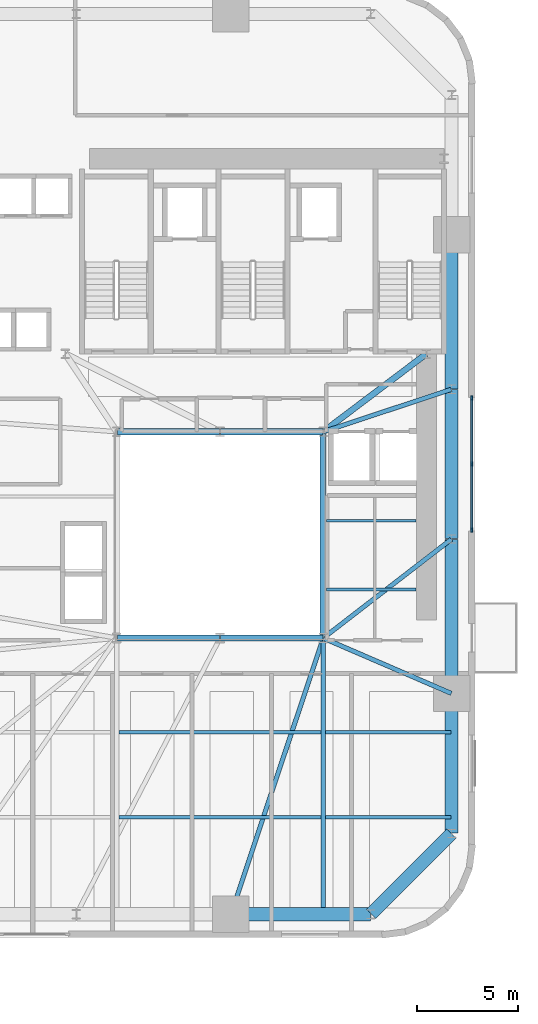
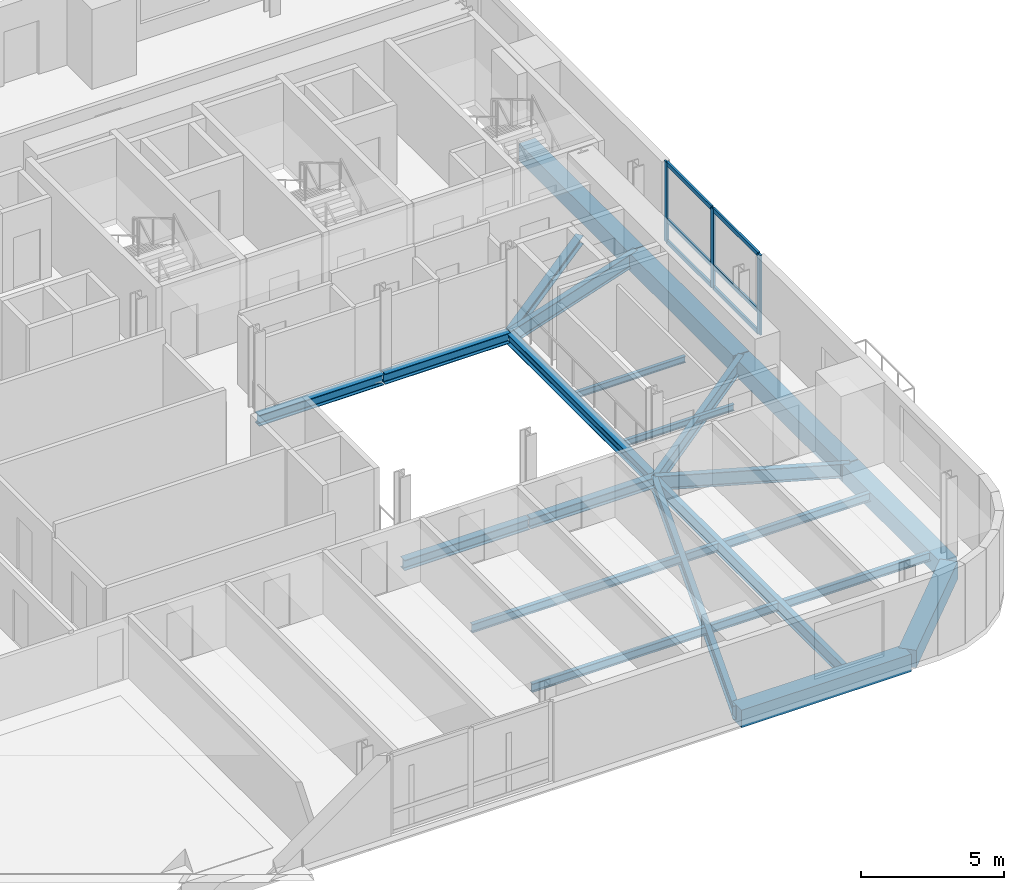
# One storey, part 3 of 13: 23 beams, 9 members, 1 element without a shape of its own.
"""IFC4 building model written with IfcOpenShell, lengths in metres."""

from ifc_helpers import new_model, si_unit, direction, frame, origin, origin_2d, place, context, subcontext, project, spatial, rectangle, i_section, extrude, source, transform, mapped, material, material_profile, profile_set, type_object, element, aggregate, save


model = new_model("IFC4")

# Units and contexts
model_context = context("Model", 3, precision=1e-05, world=origin(), true_north=direction((0.0, 1.0)))
body_context = subcontext(model_context, "Body", "Model", "MODEL_VIEW")
ifc_project = project(units=[si_unit("LENGTHUNIT", "METRE"), si_unit("AREAUNIT", "SQUARE_METRE"), si_unit("VOLUMEUNIT", "CUBIC_METRE"), si_unit("PLANEANGLEUNIT", "RADIAN"), si_unit("MASSUNIT", "GRAM", prefix="KILO")], contexts=[model_context])

# Site, building, storey
site_placement = place(None, origin())
site = spatial("IfcSite", under=ifc_project, at=site_placement, CompositionType="ELEMENT")
building_placement = place(site_placement, origin())
building = spatial("IfcBuilding", under=site, at=building_placement, Name="Vardaveli Station Tower", CompositionType="ELEMENT")
storey_placement = place(building_placement, frame((0.0, 0.0, 56.800048828125)))
storey = spatial("IfcBuildingStorey", under=building, at=storey_placement, Name="L14", CompositionType="ELEMENT", Elevation=56.800048828125)

# Beams
ifc_material_1 = material(Name="Structural steel S355J2", Category="steel")
ifc_material_profile_1 = material_profile(ifc_material_1, i_section(OverallWidth=0.300048828125, OverallDepth=0.449951171875, WebThickness=0.013916015625, FlangeThickness=0.02587890625, FilletRadius=0.027099609375, at=origin_2d()), Name="HEB 450")
ifc_profile_set_1 = profile_set([ifc_material_profile_1], Name="Structural steel S355J2")
beam_type_1 = type_object("IfcBeamType", Name="BM-HEB450", PredefinedType="BEAM", material=ifc_profile_set_1)
shared_shape_1 = source(origin(), body_context, "Body", "SweptSolid", [
    extrude(i_section(OverallWidth=0.300048828125, OverallDepth=0.449951171875, WebThickness=0.013916015625, FlangeThickness=0.02587890625, FilletRadius=0.027099609375, at=origin_2d()), origin(), (0.0, 0.0, 1.0), 5.06005859375),
])
for number, where, z_axis, x_axis, name in (
    (1, (31.219970703125, 16.60009765625, -0.465087890625), (1.0, 0.0, 0.0), (0.0, 1.0, 0.0), "ABM-L14-01"),
    (2, (36.280029296875, 26.800048828125, -0.465087890625), (-1.0, 0.0, 0.0), (0.0, -1.0, 0.0), "ABM-L14-05"),
):
    element("IfcBeam", number, at=place(storey_placement, frame(where, z_axis=z_axis, x_axis=x_axis)), inside=storey, type_object=beam_type_1, Name=name, PredefinedType="BEAM", context=body_context, shape_type="MappedRepresentation", body=[
        mapped(shared_shape_1, transform((0.0, 0.0, 0.0), scale=1.0)),
    ])
shared_shape_2 = source(origin(), body_context, "Body", "SweptSolid", [
    extrude(i_section(OverallWidth=0.300048828125, OverallDepth=0.449951171875, WebThickness=0.013916015625, FlangeThickness=0.02587890625, FilletRadius=0.027099609375, at=origin_2d()), origin(), (0.0, 0.0, 1.0), 5.059814453125),
])
for number, where, z_axis, x_axis, name in (
    (3, (36.320068359375, 16.60009765625, -0.465087890625), (1.0, 0.0, 0.0), (0.0, 1.0, 0.0), "ABM-L14-02"),
    (4, (41.3798828125, 26.800048828125, -0.465087890625), (-1.0, 0.0, 0.0), (0.0, -1.0, 0.0), "ABM-L14-04"),
):
    element("IfcBeam", number, at=place(storey_placement, frame(where, z_axis=z_axis, x_axis=x_axis)), inside=storey, type_object=beam_type_1, Name=name, PredefinedType="BEAM", context=body_context, shape_type="MappedRepresentation", body=[
        mapped(shared_shape_2, transform((0.0, 0.0, 0.0), scale=1.0)),
    ])
shared_shape_3 = source(origin(), body_context, "Body", "SweptSolid", [
    extrude(i_section(OverallWidth=0.300048828125, OverallDepth=0.449951171875, WebThickness=0.013916015625, FlangeThickness=0.02587890625, FilletRadius=0.027099609375, at=origin_2d()), origin(), (0.0, 0.0, 1.0), 10.159912109375),
])
beam_1_placement = place(storey_placement, frame((41.39990234375, 16.6201171875, -0.465087890625), z_axis=(0.0, 1.0, 0.0), x_axis=(-1.0, 0.0, 0.0)))
element("IfcBeam", 5, at=beam_1_placement, inside=storey, type_object=beam_type_1, Name="ABM-L14-03", PredefinedType="BEAM", context=body_context, shape_type="MappedRepresentation", body=[
    mapped(shared_shape_3, transform((0.0, 0.0, 0.0), scale=1.0)),
])
ifc_material_profile_2 = material_profile(ifc_material_1, i_section(OverallWidth=0.300048828125, OverallDepth=0.360107421875, WebThickness=0.012451171875, FlangeThickness=0.0224609375, FilletRadius=0.027099609375, at=origin_2d()), Name="HEB 360")
ifc_profile_set_2 = profile_set([ifc_material_profile_2], Name="Structural steel S355J2")
beam_type_2 = type_object("IfcBeamType", Name="BM-HEB360", PredefinedType="BEAM", material=ifc_profile_set_2)
shared_shape_4 = source(origin(), body_context, "Body", "SweptSolid", [
    extrude(i_section(OverallWidth=0.300048828125, OverallDepth=0.360107421875, WebThickness=0.012451171875, FlangeThickness=0.0224609375, FilletRadius=0.027099609375, at=origin_2d()), origin(), (0.0, 0.0, 1.0), 6.35009765625),
])
beam_2_placement = place(storey_placement, frame((41.416015625, 26.81201171875, -0.420166015625), z_axis=(0.798118337722, 0.602500721154, 0.0), x_axis=(-0.602500721154, 0.798118337722, 0.0)))
element("IfcBeam", 6, at=beam_2_placement, inside=storey, type_object=beam_type_2, Name="CBM-L14-02", PredefinedType="BEAM", context=body_context, shape_type="MappedRepresentation", body=[
    mapped(shared_shape_4, transform((0.0, 0.0, 0.0), scale=1.0)),
])
ifc_material_2 = material(Name="Precast concrete C45/55", Category="concrete")
ifc_material_profile_3 = material_profile(ifc_material_2, rectangle(XDim=0.64990234375, YDim=0.75, at=origin_2d()), Name="LPB 650x750")
ifc_profile_set_3 = profile_set([ifc_material_profile_3], Name="Precast concrete C45/55")
beam_type_3 = type_object("IfcBeamType", Name="BM-LPB-750", PredefinedType="BEAM", material=ifc_profile_set_3)
shared_shape_5 = source(origin(), body_context, "Body", "SweptSolid", [
    extrude(rectangle(XDim=0.64990234375, YDim=0.75, at=origin_2d()), origin(), (0.0, 0.0, 1.0), 7.60009765625),
])
for number, where, z_axis, x_axis, name in (
    (7, (47.75, 13.8798828125, -0.614990234375), (0.0, 1.0, 0.0), (-1.0, 0.0, 0.0), "RBM-L14-07"),
    (8, (47.75, 28.919921875, -0.614990234375), (0.0, 1.0, 0.0), (-1.0, 0.0, 0.0), "RBM-L14-09"),
):
    element("IfcBeam", number, at=place(storey_placement, frame(where, z_axis=z_axis, x_axis=x_axis)), inside=storey, type_object=beam_type_3, Name=name, PredefinedType="BEAM", context=body_context, shape_type="MappedRepresentation", body=[
        mapped(shared_shape_5, transform((0.0, 0.0, 0.0), scale=1.0)),
    ])
shared_shape_6 = source(origin(), body_context, "Body", "SweptSolid", [
    extrude(rectangle(XDim=0.64990234375, YDim=0.75, at=origin_2d()), origin(), (0.0, 0.0, 1.0), 7.35986328125),
])
beam_3_placement = place(storey_placement, frame((47.75, 21.52001953125, -0.614990234375), z_axis=(0.0, 1.0, 0.0), x_axis=(-1.0, 0.0, 0.0)))
element("IfcBeam", 9, at=beam_3_placement, inside=storey, type_object=beam_type_3, Name="RBM-L14-08", PredefinedType="BEAM", context=body_context, shape_type="MappedRepresentation", body=[
    mapped(shared_shape_6, transform((0.0, 0.0, 0.0), scale=1.0)),
])
shared_shape_7 = source(origin(), body_context, "Body", "SweptSolid", [
    extrude(rectangle(XDim=0.64990234375, YDim=0.75, at=origin_2d()), origin(), (0.0, 0.0, 1.0), 6.869873046875),
])
beam_4_placement = place(storey_placement, frame((36.860107421875, 2.949951171875, -0.614990234375), z_axis=(1.0, 0.0, 0.0), x_axis=(0.0, 1.0, 0.0)))
element("IfcBeam", 10, at=beam_4_placement, inside=storey, type_object=beam_type_3, Name="RBM-L14-04", PredefinedType="BEAM", context=body_context, shape_type="MappedRepresentation", body=[
    mapped(shared_shape_7, transform((0.0, 0.0, 0.0), scale=1.0)),
])
shared_shape_8 = source(origin(), body_context, "Body", "SweptSolid", [
    extrude(rectangle(XDim=0.64990234375, YDim=0.75, at=origin_2d()), origin(), (0.0, 0.0, 1.0), 5.61669921875),
])
beam_5_placement = place(storey_placement, frame((43.76416015625, 2.964111328125, -0.614990234375), z_axis=(0.707106781187, 0.707106781187, 0.0), x_axis=(-0.707106781187, 0.707106781187, 0.0)))
element("IfcBeam", 11, at=beam_5_placement, inside=storey, type_object=beam_type_3, Name="RBM-L14-05", PredefinedType="BEAM", context=body_context, shape_type="MappedRepresentation", body=[
    mapped(shared_shape_8, transform((0.0, 0.0, 0.0), scale=1.0)),
])
shared_shape_9 = source(origin(), body_context, "Body", "SweptSolid", [
    extrude(rectangle(XDim=0.64990234375, YDim=0.75, at=origin_2d()), origin(), (0.0, 0.0, 1.0), 6.8701171875),
])
beam_6_placement = place(storey_placement, frame((47.75, 6.969970703125, -0.614990234375), z_axis=(0.0, 1.0, 0.0), x_axis=(-1.0, 0.0, 0.0)))
element("IfcBeam", 12, at=beam_6_placement, inside=storey, type_object=beam_type_3, Name="RBM-L14-06", PredefinedType="BEAM", context=body_context, shape_type="MappedRepresentation", body=[
    mapped(shared_shape_9, transform((0.0, 0.0, 0.0), scale=1.0)),
])
ifc_material_profile_4 = material_profile(ifc_material_1, i_section(OverallWidth=0.219970703125, OverallDepth=0.60009765625, WebThickness=0.011962890625, FlangeThickness=0.01904296875, FilletRadius=0.02392578125, at=origin_2d()), Name="IPE 600")
ifc_profile_set_4 = profile_set([ifc_material_profile_4], Name="Structural steel S355J2")
beam_type_4 = type_object("IfcBeamType", Name="BM-IPE600", PredefinedType="BEAM", material=ifc_profile_set_4)
shared_shape_10 = source(origin(), body_context, "Body", "SweptSolid", [
    extrude(i_section(OverallWidth=0.219970703125, OverallDepth=0.60009765625, WebThickness=0.011962890625, FlangeThickness=0.01904296875, FilletRadius=0.02392578125, at=origin_2d()), origin(), (0.0, 0.0, 1.0), 14.3515625),
])
beam_7_placement = place(storey_placement, frame((36.846435546875, 2.968994140625, -0.5400390625), z_axis=(0.316840115921, 0.948478961782, 0.0), x_axis=(-0.948478961782, 0.316840115921, 0.0)))
element("IfcBeam", 13, at=beam_7_placement, inside=storey, type_object=beam_type_4, Name="GBM-L14-04", PredefinedType="BEAM", context=body_context, shape_type="MappedRepresentation", body=[
    mapped(shared_shape_10, transform((0.0, 0.0, 0.0), scale=1.0)),
])
shared_shape_11 = source(origin(), body_context, "Body", "SweptSolid", [
    extrude(i_section(OverallWidth=0.219970703125, OverallDepth=0.60009765625, WebThickness=0.011962890625, FlangeThickness=0.01904296875, FilletRadius=0.02392578125, at=origin_2d()), origin(), (0.0, 0.0, 1.0), 6.8759765625),
])
beam_8_placement = place(storey_placement, frame((47.731689453125, 13.867919921875, -0.5400390625), z_axis=(-0.918170694621, 0.396185026899, 0.0), x_axis=(-0.396185026899, -0.918170694621, 0.0)))
element("IfcBeam", 14, at=beam_8_placement, inside=storey, type_object=beam_type_4, Name="GBM-L14-05", PredefinedType="BEAM", context=body_context, shape_type="MappedRepresentation", body=[
    mapped(shared_shape_11, transform((0.0, 0.0, 0.0), scale=1.0)),
])
shared_shape_12 = source(origin(), body_context, "Body", "SweptSolid", [
    extrude(i_section(OverallWidth=0.219970703125, OverallDepth=0.60009765625, WebThickness=0.011962890625, FlangeThickness=0.01904296875, FilletRadius=0.02392578125, at=origin_2d()), origin(), (0.0, 0.0, 1.0), 7.980712890625),
])
beam_9_placement = place(storey_placement, frame((47.734130859375, 21.48779296875, -0.5400390625), z_axis=(-0.791701934907, -0.610907559509, 0.0), x_axis=(0.610907559509, -0.791701934907, 0.0)))
element("IfcBeam", 15, at=beam_9_placement, inside=storey, type_object=beam_type_4, Name="GBM-L14-06", PredefinedType="BEAM", context=body_context, shape_type="MappedRepresentation", body=[
    mapped(shared_shape_12, transform((0.0, 0.0, 0.0), scale=1.0)),
])
shared_shape_13 = source(origin(), body_context, "Body", "SweptSolid", [
    extrude(i_section(OverallWidth=0.219970703125, OverallDepth=0.60009765625, WebThickness=0.011962890625, FlangeThickness=0.01904296875, FilletRadius=0.02392578125, at=origin_2d()), origin(), (0.0, 0.0, 1.0), 6.648193359375),
])
beam_10_placement = place(storey_placement, frame((47.73095703125, 28.893798828125, -0.5400390625), z_axis=(-0.949429779906, -0.313979446824, 0.0), x_axis=(0.313979446824, -0.949429779906, 0.0)))
element("IfcBeam", 16, at=beam_10_placement, inside=storey, type_object=beam_type_4, Name="GBM-L14-07", PredefinedType="BEAM", context=body_context, shape_type="MappedRepresentation", body=[
    mapped(shared_shape_13, transform((0.0, 0.0, 0.0), scale=1.0)),
])
ifc_material_profile_5 = material_profile(ifc_material_1, i_section(OverallWidth=0.2099609375, OverallDepth=0.550048828125, WebThickness=0.010986328125, FlangeThickness=0.01708984375, FilletRadius=0.02392578125, at=origin_2d()), Name="IPE 550")
ifc_profile_set_5 = profile_set([ifc_material_profile_5], Name="Structural steel S355J2")
beam_type_5 = type_object("IfcBeamType", Name="BM-IPE550", PredefinedType="BEAM", material=ifc_profile_set_5)
shared_shape_14 = source(origin(), body_context, "Body", "SweptSolid", [
    extrude(i_section(OverallWidth=0.2099609375, OverallDepth=0.550048828125, WebThickness=0.010986328125, FlangeThickness=0.01708984375, FilletRadius=0.02392578125, at=origin_2d()), origin(), (0.0, 0.0, 1.0), 13.469970703125),
])
beam_11_placement = place(storey_placement, frame((41.39990234375, 2.989990234375, -0.51513671875), z_axis=(0.0, 1.0, 0.0), x_axis=(-1.0, 0.0, 0.0)))
element("IfcBeam", 17, at=beam_11_placement, inside=storey, type_object=beam_type_5, Name="NSM-L14-S2", PredefinedType="BEAM", context=body_context, shape_type="MappedRepresentation", body=[
    mapped(shared_shape_14, transform((0.0, 0.0, 0.0), scale=1.0)),
])
ifc_material_profile_6 = material_profile(ifc_material_1, i_section(OverallWidth=0.169921875, OverallDepth=0.360107421875, WebThickness=0.008056640625, FlangeThickness=0.0126953125, FilletRadius=0.01806640625, at=origin_2d()), Name="IPE 360")
ifc_profile_set_6 = profile_set([ifc_material_profile_6], Name="Structural steel S355J2")
beam_type_6 = type_object("IfcBeamType", Name="BM-IPE360", PredefinedType="JOIST", material=ifc_profile_set_6)
shared_shape_15 = source(origin(), body_context, "Body", "SweptSolid", [
    extrude(i_section(OverallWidth=0.169921875, OverallDepth=0.360107421875, WebThickness=0.008056640625, FlangeThickness=0.0126953125, FilletRadius=0.01806640625, at=origin_2d()), origin(), (0.0, 0.0, 1.0), 9.97607421875),
])
for number, where, z_axis, x_axis, name in (
    (18, (31.31201171875, 7.75, -0.420166015625), (1.0, 0.0, 0.0), (0.0, 1.0, 0.0), "SJ-L14-S02"),
    (19, (31.31201171875, 11.949951171875, -0.420166015625), (1.0, 0.0, 0.0), (0.0, 1.0, 0.0), "SJ-L14-S05"),
):
    element("IfcBeam", number, at=place(storey_placement, frame(where, z_axis=z_axis, x_axis=x_axis)), inside=storey, type_object=beam_type_6, Name=name, PredefinedType="JOIST", context=body_context, shape_type="MappedRepresentation", body=[
        mapped(shared_shape_15, transform((0.0, 0.0, 0.0), scale=1.0)),
    ])
shared_shape_16 = source(origin(), body_context, "Body", "SweptSolid", [
    extrude(i_section(OverallWidth=0.169921875, OverallDepth=0.360107421875, WebThickness=0.008056640625, FlangeThickness=0.0126953125, FilletRadius=0.01806640625, at=origin_2d()), origin(), (0.0, 0.0, 1.0), 6.197998046875),
])
for number, where, z_axis, x_axis, name in (
    (20, (41.511962890625, 7.75, -0.420166015625), (1.0, 0.0, 0.0), (0.0, 1.0, 0.0), "SJ-L14-S03"),
    (21, (41.511962890625, 11.949951171875, -0.420166015625), (1.0, 0.0, 0.0), (0.0, 1.0, 0.0), "SJ-L14-S06"),
):
    element("IfcBeam", number, at=place(storey_placement, frame(where, z_axis=z_axis, x_axis=x_axis)), inside=storey, type_object=beam_type_6, Name=name, PredefinedType="JOIST", context=body_context, shape_type="MappedRepresentation", body=[
        mapped(shared_shape_16, transform((0.0, 0.0, 0.0), scale=1.0)),
    ])
ifc_material_profile_7 = material_profile(ifc_material_1, i_section(OverallWidth=0.135009765625, OverallDepth=0.27001953125, WebThickness=0.006591796875, FlangeThickness=0.01025390625, FilletRadius=0.014892578125, at=origin_2d()), Name="IPE 270")
ifc_profile_set_7 = profile_set([ifc_material_profile_7], Name="Structural steel S355J2")
beam_type_7 = type_object("IfcBeamType", Name="BM-IPE270", PredefinedType="BEAM", material=ifc_profile_set_7)
shared_shape_17 = source(origin(), body_context, "Body", "SweptSolid", [
    extrude(i_section(OverallWidth=0.135009765625, OverallDepth=0.27001953125, WebThickness=0.006591796875, FlangeThickness=0.01025390625, FilletRadius=0.014892578125, at=origin_2d()), origin(), (0.0, 0.0, 1.0), 4.43017578125),
])
for number, where, z_axis, x_axis, name in (
    (22, (41.56494140625, 19.0, -0.375), (1.0, 0.0, 0.0), (0.0, 1.0, 0.0), "TJ-L14-01"),
    (23, (41.56494140625, 22.39990234375, -0.375), (1.0, 0.0, 0.0), (0.0, 1.0, 0.0), "TJ-L14-02"),
):
    element("IfcBeam", number, at=place(storey_placement, frame(where, z_axis=z_axis, x_axis=x_axis)), inside=storey, type_object=beam_type_7, Name=name, PredefinedType="BEAM", context=body_context, shape_type="MappedRepresentation", body=[
        mapped(shared_shape_17, transform((0.0, 0.0, 0.0), scale=1.0)),
    ])

# Curtain wall, members
ifc_material_3 = material(Name="Travertine stone and solar-control glass", Category="masonry")
curtain_wall_type = type_object("IfcCurtainWallType", Name="CW-SYS-2", PredefinedType="NOTDEFINED", material=ifc_material_3)
curtain_wall_placement = place(storey_placement, origin())
curtain_wall = element("IfcCurtainWall", 24, at=curtain_wall_placement, inside=storey, type_object=curtain_wall_type, Name="CW-L14-E", PredefinedType="NOTDEFINED")
ifc_material_4 = material(Name="Anodised aluminium alloy 6063-T6", Category="aluminium")
ifc_material_profile_8 = material_profile(ifc_material_4, rectangle(XDim=0.0849609375, YDim=0.219970703125, at=origin_2d()), Name="CWM 85x220")
ifc_profile_set_8 = profile_set([ifc_material_profile_8], Name="Anodised aluminium alloy 6063-T6")
member_type_1 = type_object("IfcMemberType", Name="CW-SYS-2-MULL", PredefinedType="MULLION", material=ifc_profile_set_8)
shared_shape_18 = source(origin(), body_context, "Body", "SweptSolid", [
    extrude(rectangle(XDim=0.0849609375, YDim=0.219970703125, at=origin_2d()), origin(), (0.0, 0.0, 1.0), 3.409912109375),
])
member_1_placement = place(storey_placement, frame((48.739990234375, 21.9423828125, 0.0), z_axis=(0.0, 0.0, 1.0), x_axis=(-1.0, 0.0, 0.0)))
member_1 = element("IfcMember", 25, at=member_1_placement, type_object=member_type_1, Name="CW-2 mullion 1", PredefinedType="MULLION", context=body_context, shape_type="MappedRepresentation", body=[
    mapped(shared_shape_18, transform((0.0, 0.0, 0.0), scale=1.0)),
])
member_2_placement = place(storey_placement, frame((48.739990234375, 25.199951171875, 0.0), z_axis=(0.0, 0.0, 1.0), x_axis=(-1.0, 0.0, 0.0)))
member_2 = element("IfcMember", 26, at=member_2_placement, type_object=member_type_1, Name="CW-2 mullion 2", PredefinedType="MULLION", context=body_context, shape_type="MappedRepresentation", body=[
    mapped(shared_shape_18, transform((0.0, 0.0, 0.0), scale=1.0)),
])
member_3_placement = place(storey_placement, frame((48.739990234375, 28.45751953125, 0.0), z_axis=(0.0, 0.0, 1.0), x_axis=(-1.0, 0.0, 0.0)))
member_3 = element("IfcMember", 27, at=member_3_placement, type_object=member_type_1, Name="CW-2 mullion 3", PredefinedType="MULLION", context=body_context, shape_type="MappedRepresentation", body=[
    mapped(shared_shape_18, transform((0.0, 0.0, 0.0), scale=1.0)),
])
ifc_material_profile_9 = material_profile(ifc_material_4, rectangle(XDim=0.0849609375, YDim=0.179931640625, at=origin_2d()), Name="CWT 85x180")
ifc_profile_set_9 = profile_set([ifc_material_profile_9], Name="Anodised aluminium alloy 6063-T6")
member_type_2 = type_object("IfcMemberType", Name="CW-SYS-2-TRAN", PredefinedType="NOTDEFINED", material=ifc_profile_set_9)
shared_shape_19 = source(origin(), body_context, "Body", "SweptSolid", [
    extrude(rectangle(XDim=0.0849609375, YDim=0.179931640625, at=origin_2d()), origin(), (0.0, 0.0, 1.0), 3.172607421875),
])
member_4_placement = place(storey_placement, frame((48.739990234375, 25.242431640625, 0.04248046875), z_axis=(0.0, 1.0, 0.0), x_axis=(-1.0, 0.0, 0.0)))
member_4 = element("IfcMember", 28, at=member_4_placement, type_object=member_type_2, Name="CW-2 transom 2.1", ObjectType="TRANSOM", PredefinedType="USERDEFINED", context=body_context, shape_type="MappedRepresentation", body=[
    mapped(shared_shape_19, transform((0.0, 0.0, 0.0), scale=1.0)),
])
member_5_placement = place(storey_placement, frame((48.739990234375, 25.242431640625, 0.949951171875), z_axis=(0.0, 1.0, 0.0), x_axis=(-1.0, 0.0, 0.0)))
member_5 = element("IfcMember", 29, at=member_5_placement, type_object=member_type_2, Name="CW-2 transom 2.2", ObjectType="TRANSOM", PredefinedType="USERDEFINED", context=body_context, shape_type="MappedRepresentation", body=[
    mapped(shared_shape_19, transform((0.0, 0.0, 0.0), scale=1.0)),
])
member_6_placement = place(storey_placement, frame((48.739990234375, 25.242431640625, 3.367431640625), z_axis=(0.0, 1.0, 0.0), x_axis=(-1.0, 0.0, 0.0)))
member_6 = element("IfcMember", 30, at=member_6_placement, type_object=member_type_2, Name="CW-2 transom 2.3", ObjectType="TRANSOM", PredefinedType="USERDEFINED", context=body_context, shape_type="MappedRepresentation", body=[
    mapped(shared_shape_19, transform((0.0, 0.0, 0.0), scale=1.0)),
])
shared_shape_20 = source(origin(), body_context, "Body", "SweptSolid", [
    extrude(rectangle(XDim=0.0849609375, YDim=0.179931640625, at=origin_2d()), origin(), (0.0, 0.0, 1.0), 3.17236328125),
])
member_7_placement = place(storey_placement, frame((48.739990234375, 21.985107421875, 0.04248046875), z_axis=(0.0, 1.0, 0.0), x_axis=(-1.0, 0.0, 0.0)))
member_7 = element("IfcMember", 31, at=member_7_placement, type_object=member_type_2, Name="CW-2 transom 1.1", ObjectType="TRANSOM", PredefinedType="USERDEFINED", context=body_context, shape_type="MappedRepresentation", body=[
    mapped(shared_shape_20, transform((0.0, 0.0, 0.0), scale=1.0)),
])
member_8_placement = place(storey_placement, frame((48.739990234375, 21.985107421875, 0.949951171875), z_axis=(0.0, 1.0, 0.0), x_axis=(-1.0, 0.0, 0.0)))
member_8 = element("IfcMember", 32, at=member_8_placement, type_object=member_type_2, Name="CW-2 transom 1.2", ObjectType="TRANSOM", PredefinedType="USERDEFINED", context=body_context, shape_type="MappedRepresentation", body=[
    mapped(shared_shape_20, transform((0.0, 0.0, 0.0), scale=1.0)),
])
member_9_placement = place(storey_placement, frame((48.739990234375, 21.985107421875, 3.367431640625), z_axis=(0.0, 1.0, 0.0), x_axis=(-1.0, 0.0, 0.0)))
member_9 = element("IfcMember", 33, at=member_9_placement, type_object=member_type_2, Name="CW-2 transom 1.3", ObjectType="TRANSOM", PredefinedType="USERDEFINED", context=body_context, shape_type="MappedRepresentation", body=[
    mapped(shared_shape_20, transform((0.0, 0.0, 0.0), scale=1.0)),
])
aggregate(curtain_wall, [member_1, member_2, member_3, member_7, member_8, member_9, member_4, member_5, member_6])

save(model, "model.ifc")
